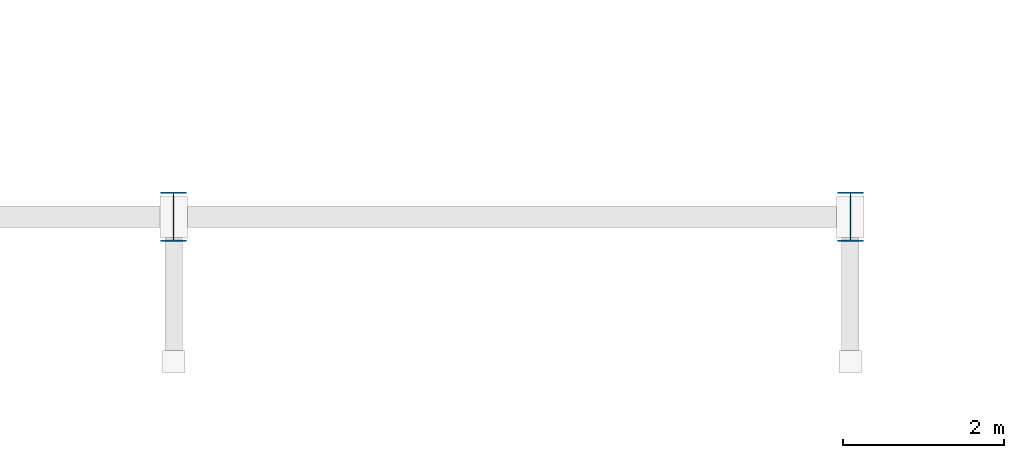
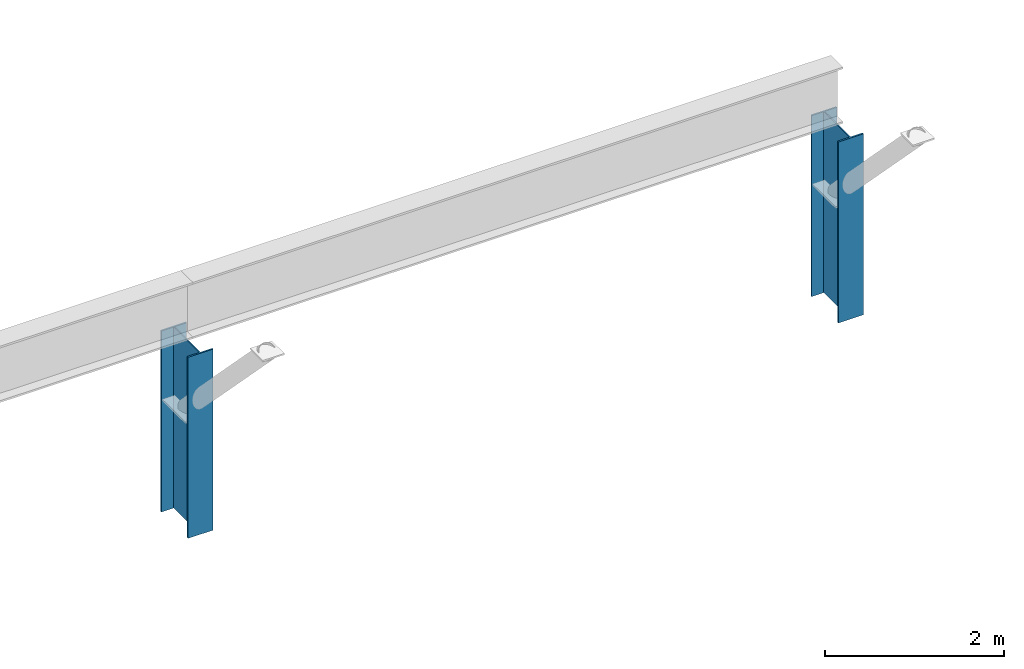
# One storey, part 12 of 107: 2 columns.
"""IFC4 building model written with IfcOpenShell, lengths in metres."""

from ifc_helpers import new_model, si_unit, derived_unit, direction, frame, origin, origin_2d, place, context, subcontext, project, spatial, i_section, extrude, material, material_profile, profile_set, type_object, element, save


model = new_model("IFC4")

# Units and contexts
model_context = context("Model", 3, precision=1e-05, world=origin(), true_north=direction((0.0, 1.0)))
body_context = subcontext(model_context, "Body", "Model", "MODEL_VIEW")
ifc_project = project(units=[si_unit("LENGTHUNIT", "METRE"), si_unit("AREAUNIT", "SQUARE_METRE"), si_unit("VOLUMEUNIT", "CUBIC_METRE"), si_unit("PLANEANGLEUNIT", "RADIAN"), si_unit("MASSUNIT", "GRAM", prefix="KILO"), derived_unit("THERMALTRANSMITTANCEUNIT", [(si_unit("MASSUNIT", "GRAM", prefix="KILO"), 1), (si_unit("TIMEUNIT", "SECOND"), -3), (si_unit("THERMODYNAMICTEMPERATUREUNIT", "KELVIN"), -1)])], contexts=[model_context])

# Site, building, storey
site_placement = place(None, origin())
site = spatial("IfcSite", under=ifc_project, at=site_placement, CompositionType="ELEMENT")
building_placement = place(site_placement, origin())
building = spatial("IfcBuilding", under=site, at=building_placement, Name="Makaiwela Harbour Ferry Terminal", CompositionType="ELEMENT")
storey_placement = place(building_placement, frame((0.0, 0.0, 9.60009765625)))
storey = spatial("IfcBuildingStorey", under=building, at=storey_placement, Name="L02", CompositionType="ELEMENT", Elevation=9.60009765625)

# Columns
ifc_material = material(Name="Steel ASTM A992 Grade 50", Category="steel")
ifc_material_profile = material_profile(ifc_material, i_section(OverallWidth=0.324951171875, OverallDepth=0.615966796875, WebThickness=0.013916015625, FlangeThickness=0.021484375, at=origin_2d()), Name="W24X117")
ifc_profile_set = profile_set([ifc_material_profile], Name="Steel ASTM A992 Grade 50")
column_type = type_object("IfcColumnType", Name="STR-COL-W24X117", PredefinedType="COLUMN", material=ifc_profile_set)
for number, where, z_axis, x_axis, name in (
    (1, (130.199951171875, 103.39990234375, 0.0), (0.0, 0.0, 1.0), (1.0, 0.0, 0.0), "Structural Column C-02"),
    (2, (138.60009765625, 103.39990234375, 0.0), (0.0, 0.0, 1.0), (1.0, 0.0, 0.0), "Structural Column C-02"),
):
    element("IfcColumn", number, at=place(storey_placement, frame(where, z_axis=z_axis, x_axis=x_axis)), inside=storey, type_object=column_type, Name=name, PredefinedType="COLUMN", context=body_context, shape_type="SweptSolid", body=[
        extrude(i_section(OverallWidth=0.324951171875, OverallDepth=0.615966796875, WebThickness=0.013916015625, FlangeThickness=0.021484375, at=origin_2d()), origin(), (0.0, 0.0, 1.0), 2.472900390625),
    ])

save(model, "model.ifc")
